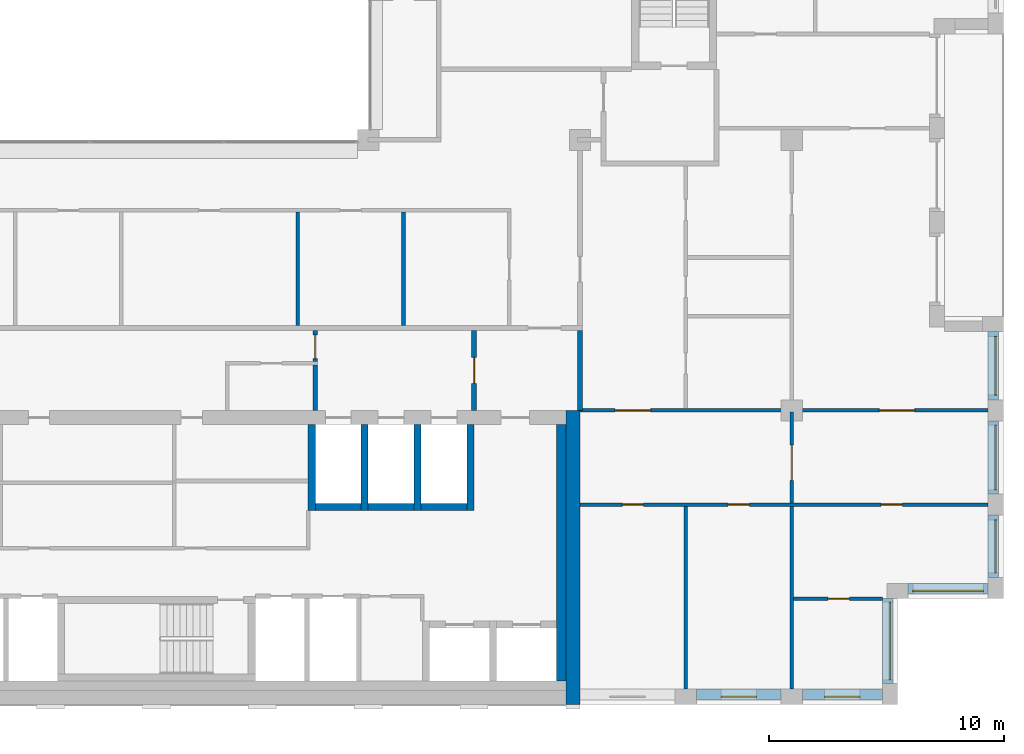
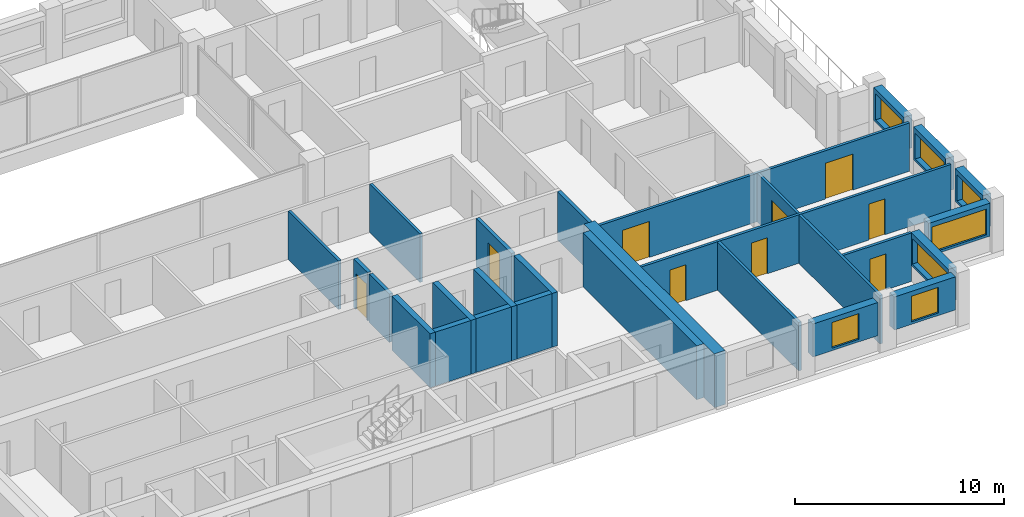
# One storey, part 11 of 15: 28 walls, 9 doors, 7 windows, 16 openings.
"""IFC4 building model written with IfcOpenShell, lengths in metres."""

from ifc_helpers import new_model, si_unit, direction, frame, frame_2d, origin, place, context, subcontext, project, spatial, rectangle, extrude, material, layer, layer_set, type_object, element, fill, save


model = new_model("IFC4")

# Units and contexts
model_context = context("Model", 3, precision=1e-05, world=origin(), true_north=direction((0.0, 1.0)))
body_context = subcontext(model_context, "Body", "Model", "MODEL_VIEW")
ifc_project = project(units=[si_unit("LENGTHUNIT", "METRE"), si_unit("AREAUNIT", "SQUARE_METRE"), si_unit("VOLUMEUNIT", "CUBIC_METRE"), si_unit("PLANEANGLEUNIT", "RADIAN"), si_unit("MASSUNIT", "GRAM", prefix="KILO")], contexts=[model_context])

# Site, building, storey
site_placement = place(None, origin())
site = spatial("IfcSite", under=ifc_project, at=site_placement, CompositionType="ELEMENT")
building_placement = place(site_placement, origin())
building = spatial("IfcBuilding", under=site, at=building_placement, Name="Brigalow Station Residences", CompositionType="ELEMENT")
storey_placement = place(building_placement, frame((0.0, 0.0, 229.5)))
storey = spatial("IfcBuildingStorey", under=building, at=storey_placement, Name="L66", CompositionType="ELEMENT", Elevation=229.5)

# Wall, opening, window
ifc_material_1 = material(Name="Clay brick masonry", Category="masonry")
ifc_layer_1 = layer(ifc_material_1, 0.449951171875)
ifc_layer_set_1 = layer_set([ifc_layer_1], Name="BRICK INFILL WALL 450")
wall_type_1 = type_object("IfcWallType", Name="BRICK INFILL WALL 450", PredefinedType="SOLIDWALL", material=ifc_layer_set_1)
wall_1_placement = place(storey_placement, frame((58.949951171875, 0.425048828125, 0.89990234375), z_axis=(0.0, 0.0, 1.0), x_axis=(1.0, 0.0, 0.0)))
wall_1 = element("IfcWall", 1, at=wall_1_placement, inside=storey, type_object=wall_type_1, Name="L66/ewall/W-L66-4", PredefinedType="SOLIDWALL", context=body_context, shape_type="SweptSolid", body=[
    extrude(rectangle(XDim=3.60009765625, YDim=0.449951171875, at=frame_2d((1.800048828125, 0.0))), origin(), (0.0, 0.0, 1.0), 1.93017578125),
])
opening_1_placement = place(wall_1_placement, frame((1.050048828125, 0.0, 0.14990234375)))
opening_1 = element("IfcOpeningElement", 2, at=opening_1_placement, cuts=wall_1, Name="Opening WT-1", PredefinedType="OPENING", context=body_context, shape_type="SweptSolid", body=[
    extrude(rectangle(XDim=1.5, YDim=1.5, at=frame_2d((0.75, 0.75))), frame((0.0, 0.23486328125, 0.0), z_axis=(0.0, -1.0, 0.0), x_axis=(1.0, 0.0, 0.0)), (0.0, 0.0, 1.0), 0.469970703125),
])
ifc_material_2 = material(Name="Anodised aluminium frame with double glazing", Category="aluminium")
window_type_1 = type_object("IfcWindowType", Name="WINDOW 1500x1500", PartitioningType="SINGLE_PANEL", PredefinedType="WINDOW", material=ifc_material_2)
window_1_placement = place(opening_1_placement, origin())
window_1 = element("IfcWindow", 3, at=window_1_placement, inside=storey, type_object=window_type_1, Name="L66/window/W-L66-4", OverallHeight=1.5, OverallWidth=1.5, PartitioningType="SINGLE_PANEL", PredefinedType="WINDOW", context=body_context, shape_type="SweptSolid", body=[
    extrude(rectangle(XDim=1.5, YDim=1.5, at=frame_2d((0.75, 0.75))), frame((0.0, -0.06494140625, 0.0), z_axis=(0.0, -1.0, 0.0), x_axis=(1.0, 0.0, 0.0)), (0.0, 0.0, 1.0), 0.06005859375),
])
fill(opening_1, window_1)

wall_2_placement = place(storey_placement, frame((63.449951171875, 0.425048828125, 0.89990234375), z_axis=(0.0, 0.0, 1.0), x_axis=(1.0, 0.0, 0.0)))
wall_2 = element("IfcWall", 4, at=wall_2_placement, inside=storey, type_object=wall_type_1, Name="L66/ewall/W-L66-5", PredefinedType="SOLIDWALL", context=body_context, shape_type="SweptSolid", body=[
    extrude(rectangle(XDim=3.400146484375, YDim=0.449951171875, at=frame_2d((1.7001953125, 0.0))), origin(), (0.0, 0.0, 1.0), 1.93017578125),
])
opening_2_placement = place(wall_2_placement, frame((0.949951171875, 0.0, 0.14990234375)))
opening_2 = element("IfcOpeningElement", 5, at=opening_2_placement, cuts=wall_2, Name="Opening WT-1", PredefinedType="OPENING", context=body_context, shape_type="SweptSolid", body=[
    extrude(rectangle(XDim=1.5, YDim=1.5, at=frame_2d((0.75, 0.75))), frame((0.0, 0.23486328125, 0.0), z_axis=(0.0, -1.0, 0.0), x_axis=(1.0, 0.0, 0.0)), (0.0, 0.0, 1.0), 0.469970703125),
])
window_2_placement = place(opening_2_placement, origin())
window_2 = element("IfcWindow", 6, at=window_2_placement, inside=storey, type_object=window_type_1, Name="L66/window/W-L66-5", OverallHeight=1.5, OverallWidth=1.5, PartitioningType="SINGLE_PANEL", PredefinedType="WINDOW", context=body_context, shape_type="SweptSolid", body=[
    extrude(rectangle(XDim=1.5, YDim=1.5, at=frame_2d((0.75, 0.75))), frame((0.0, -0.06494140625, 0.0), z_axis=(0.0, -1.0, 0.0), x_axis=(1.0, 0.0, 0.0)), (0.0, 0.0, 1.0), 0.06005859375),
])
fill(opening_2, window_2)

wall_3_placement = place(storey_placement, frame((67.074951171875, 0.89990234375, 0.89990234375), z_axis=(0.0, 0.0, 1.0), x_axis=(0.0, 1.0, 0.0)))
wall_3 = element("IfcWall", 7, at=wall_3_placement, inside=storey, type_object=wall_type_1, Name="L66/ewall/W-L66-6", PredefinedType="SOLIDWALL", context=body_context, shape_type="SweptSolid", body=[
    extrude(rectangle(XDim=3.60009765625, YDim=0.449951171875, at=frame_2d((1.800048828125, 0.0))), origin(), (0.0, 0.0, 1.0), 1.93017578125),
])
opening_3_placement = place(wall_3_placement, frame((0.14990234375, 0.0, 0.14990234375)))
opening_3 = element("IfcOpeningElement", 8, at=opening_3_placement, cuts=wall_3, Name="Opening WT-10", PredefinedType="OPENING", context=body_context, shape_type="SweptSolid", body=[
    extrude(rectangle(XDim=3.300048828125, YDim=1.5, at=frame_2d((1.64990234375, 0.75))), frame((0.0, 0.23486328125, 0.0), z_axis=(0.0, -1.0, 0.0), x_axis=(1.0, 0.0, 0.0)), (0.0, 0.0, 1.0), 0.469970703125),
])
ifc_material_3 = material(Name="Anodised aluminium frame with double glazing", Category="aluminium")
window_type_2 = type_object("IfcWindowType", Name="WINDOW 3300x1500", PartitioningType="SINGLE_PANEL", PredefinedType="WINDOW", material=ifc_material_3)
window_3_placement = place(opening_3_placement, origin())
window_3 = element("IfcWindow", 9, at=window_3_placement, inside=storey, type_object=window_type_2, Name="L66/window/W-L66-6", OverallHeight=1.5, OverallWidth=3.300048828125, PartitioningType="SINGLE_PANEL", PredefinedType="WINDOW", context=body_context, shape_type="SweptSolid", body=[
    extrude(rectangle(XDim=3.300048828125, YDim=1.5, at=frame_2d((1.64990234375, 0.75))), frame((0.0, -0.06494140625, 0.0), z_axis=(0.0, -1.0, 0.0), x_axis=(1.0, 0.0, 0.0)), (0.0, 0.0, 1.0), 0.06005859375),
])
fill(opening_3, window_3)

wall_4_placement = place(storey_placement, frame((67.949951171875, 4.925048828125, 0.89990234375), z_axis=(0.0, 0.0, 1.0), x_axis=(1.0, 0.0, 0.0)))
wall_4 = element("IfcWall", 10, at=wall_4_placement, inside=storey, type_object=wall_type_1, Name="L66/ewall/W-L66-7", PredefinedType="SOLIDWALL", context=body_context, shape_type="SweptSolid", body=[
    extrude(rectangle(XDim=3.400146484375, YDim=0.449951171875, at=frame_2d((1.7001953125, 0.0))), origin(), (0.0, 0.0, 1.0), 1.93017578125),
])
opening_4_placement = place(wall_4_placement, frame((0.199951171875, 0.0, 0.14990234375)))
opening_4 = element("IfcOpeningElement", 11, at=opening_4_placement, cuts=wall_4, Name="Opening WT-2", PredefinedType="OPENING", context=body_context, shape_type="SweptSolid", body=[
    extrude(rectangle(XDim=3.0, YDim=1.5, at=frame_2d((1.5, 0.75))), frame((0.0, 0.23486328125, 0.0), z_axis=(0.0, -1.0, 0.0), x_axis=(1.0, 0.0, 0.0)), (0.0, 0.0, 1.0), 0.469970703125),
])
ifc_material_4 = material(Name="Anodised aluminium frame with double glazing", Category="aluminium")
window_type_3 = type_object("IfcWindowType", Name="WINDOW 3000x1500", PartitioningType="SINGLE_PANEL", PredefinedType="WINDOW", material=ifc_material_4)
window_4_placement = place(opening_4_placement, origin())
window_4 = element("IfcWindow", 12, at=window_4_placement, inside=storey, type_object=window_type_3, Name="L66/window/W-L66-7", OverallHeight=1.5, OverallWidth=3.0, PartitioningType="SINGLE_PANEL", PredefinedType="WINDOW", context=body_context, shape_type="SweptSolid", body=[
    extrude(rectangle(XDim=3.0, YDim=1.5, at=frame_2d((1.5, 0.75))), frame((0.0, -0.06494140625, 0.0), z_axis=(0.0, -1.0, 0.0), x_axis=(1.0, 0.0, 0.0)), (0.0, 0.0, 1.0), 0.06005859375),
])
fill(opening_4, window_4)

wall_5_placement = place(storey_placement, frame((71.574951171875, 5.39990234375, 0.89990234375), z_axis=(0.0, 0.0, 1.0), x_axis=(0.0, 1.0, 0.0)))
wall_5 = element("IfcWall", 13, at=wall_5_placement, inside=storey, type_object=wall_type_1, Name="L66/ewall/W-L66-8", PredefinedType="SOLIDWALL", context=body_context, shape_type="SweptSolid", body=[
    extrude(rectangle(XDim=2.650146484375, YDim=0.449951171875, at=frame_2d((1.3251953125, 0.0))), origin(), (0.0, 0.0, 1.0), 1.93017578125),
])
opening_5_placement = place(wall_5_placement, frame((0.199951171875, 0.0, 0.14990234375)))
opening_5 = element("IfcOpeningElement", 14, at=opening_5_placement, cuts=wall_5, Name="Opening WT-6", PredefinedType="OPENING", context=body_context, shape_type="SweptSolid", body=[
    extrude(rectangle(XDim=2.25, YDim=1.5, at=frame_2d((1.125, 0.75))), frame((0.0, 0.23486328125, 0.0), z_axis=(0.0, -1.0, 0.0), x_axis=(1.0, 0.0, 0.0)), (0.0, 0.0, 1.0), 0.469970703125),
])
ifc_material_5 = material(Name="Anodised aluminium frame with double glazing", Category="aluminium")
window_type_4 = type_object("IfcWindowType", Name="WINDOW 2250x1500", PartitioningType="SINGLE_PANEL", PredefinedType="WINDOW", material=ifc_material_5)
window_5_placement = place(opening_5_placement, origin())
window_5 = element("IfcWindow", 15, at=window_5_placement, inside=storey, type_object=window_type_4, Name="L66/window/W-L66-8", OverallHeight=1.5, OverallWidth=2.25, PartitioningType="SINGLE_PANEL", PredefinedType="WINDOW", context=body_context, shape_type="SweptSolid", body=[
    extrude(rectangle(XDim=2.25, YDim=1.5, at=frame_2d((1.125, 0.75))), frame((0.0, -0.06494140625, 0.0), z_axis=(0.0, -1.0, 0.0), x_axis=(1.0, 0.0, 0.0)), (0.0, 0.0, 1.0), 0.06005859375),
])
fill(opening_5, window_5)

wall_6_placement = place(storey_placement, frame((71.574951171875, 8.949951171875, 0.89990234375), z_axis=(0.0, 0.0, 1.0), x_axis=(0.0, 1.0, 0.0)))
wall_6 = element("IfcWall", 16, at=wall_6_placement, inside=storey, type_object=wall_type_1, Name="L66/ewall/W-L66-9", PredefinedType="SOLIDWALL", context=body_context, shape_type="SweptSolid", body=[
    extrude(rectangle(XDim=3.10009765625, YDim=0.449951171875, at=frame_2d((1.550048828125, 0.0))), origin(), (0.0, 0.0, 1.0), 1.93017578125),
])
opening_6_placement = place(wall_6_placement, frame((0.175048828125, 0.0, 0.14990234375)))
opening_6 = element("IfcOpeningElement", 17, at=opening_6_placement, cuts=wall_6, Name="Opening WT-3", PredefinedType="OPENING", context=body_context, shape_type="SweptSolid", body=[
    extrude(rectangle(XDim=2.75, YDim=1.5, at=frame_2d((1.375, 0.75))), frame((0.0, 0.23486328125, 0.0), z_axis=(0.0, -1.0, 0.0), x_axis=(1.0, 0.0, 0.0)), (0.0, 0.0, 1.0), 0.469970703125),
])
ifc_material_6 = material(Name="Anodised aluminium frame with double glazing", Category="aluminium")
window_type_5 = type_object("IfcWindowType", Name="WINDOW 2750x1500", PartitioningType="SINGLE_PANEL", PredefinedType="WINDOW", material=ifc_material_6)
window_6_placement = place(opening_6_placement, origin())
window_6 = element("IfcWindow", 18, at=window_6_placement, inside=storey, type_object=window_type_5, Name="L66/window/W-L66-9", OverallHeight=1.5, OverallWidth=2.75, PartitioningType="SINGLE_PANEL", PredefinedType="WINDOW", context=body_context, shape_type="SweptSolid", body=[
    extrude(rectangle(XDim=2.75, YDim=1.5, at=frame_2d((1.375, 0.75))), frame((0.0, -0.06494140625, 0.0), z_axis=(0.0, -1.0, 0.0), x_axis=(1.0, 0.0, 0.0)), (0.0, 0.0, 1.0), 0.06005859375),
])
fill(opening_6, window_6)

wall_7_placement = place(storey_placement, frame((71.574951171875, 12.949951171875, 0.89990234375), z_axis=(0.0, 0.0, 1.0), x_axis=(0.0, 1.0, 0.0)))
wall_7 = element("IfcWall", 19, at=wall_7_placement, inside=storey, type_object=wall_type_1, Name="L66/ewall/W-L66-10", PredefinedType="SOLIDWALL", context=body_context, shape_type="SweptSolid", body=[
    extrude(rectangle(XDim=2.900146484375, YDim=0.449951171875, at=frame_2d((1.4501953125, 0.0))), origin(), (0.0, 0.0, 1.0), 1.93017578125),
])
opening_7_placement = place(wall_7_placement, frame((0.199951171875, 0.0, 0.14990234375)))
opening_7 = element("IfcOpeningElement", 20, at=opening_7_placement, cuts=wall_7, Name="Opening WT-5", PredefinedType="OPENING", context=body_context, shape_type="SweptSolid", body=[
    extrude(rectangle(XDim=2.5, YDim=1.5, at=frame_2d((1.25, 0.75))), frame((0.0, 0.23486328125, 0.0), z_axis=(0.0, -1.0, 0.0), x_axis=(1.0, 0.0, 0.0)), (0.0, 0.0, 1.0), 0.469970703125),
])
ifc_material_7 = material(Name="Anodised aluminium frame with double glazing", Category="aluminium")
window_type_6 = type_object("IfcWindowType", Name="WINDOW 2500x1500", PartitioningType="SINGLE_PANEL", PredefinedType="WINDOW", material=ifc_material_7)
window_7_placement = place(opening_7_placement, origin())
window_7 = element("IfcWindow", 21, at=window_7_placement, inside=storey, type_object=window_type_6, Name="L66/window/W-L66-10", OverallHeight=1.5, OverallWidth=2.5, PartitioningType="SINGLE_PANEL", PredefinedType="WINDOW", context=body_context, shape_type="SweptSolid", body=[
    extrude(rectangle(XDim=2.5, YDim=1.5, at=frame_2d((1.25, 0.75))), frame((0.0, -0.06494140625, 0.0), z_axis=(0.0, -1.0, 0.0), x_axis=(1.0, 0.0, 0.0)), (0.0, 0.0, 1.0), 0.06005859375),
])
fill(opening_7, window_7)

# Walls
ifc_material_8 = material(Name="Concrete C50", Category="concrete")
ifc_layer_2 = layer(ifc_material_8, 0.300048828125)
ifc_layer_set_2 = layer_set([ifc_layer_2], Name="CORE SHEAR WALL 300 C50")
wall_type_2 = type_object("IfcWallType", Name="CORE SHEAR WALL 300 C50", PredefinedType="SHEAR", material=ifc_layer_set_2)
wall_8_placement = place(storey_placement, frame((42.75, 8.39990234375, 0.0), z_axis=(0.0, 0.0, 1.0), x_axis=(1.0, 0.0, 0.0)))
element("IfcWall", 22, at=wall_8_placement, inside=storey, type_object=wall_type_2, Name="CORE WALL SH-FF1-S L66", PredefinedType="SHEAR", context=body_context, shape_type="SweptSolid", body=[
    extrude(rectangle(XDim=1.949951171875, YDim=0.300048828125, at=frame_2d((0.97509765625, 0.0))), origin(), (0.0, 0.0, 1.0), 3.14990234375),
])
wall_9_placement = place(storey_placement, frame((42.60009765625, 8.25, 0.0), z_axis=(0.0, 0.0, 1.0), x_axis=(0.0, 1.0, 0.0)))
element("IfcWall", 23, at=wall_9_placement, inside=storey, type_object=wall_type_2, Name="CORE WALL SH-FF1-W L66", PredefinedType="SHEAR", context=body_context, shape_type="SweptSolid", body=[
    extrude(rectangle(XDim=3.64990234375, YDim=0.300048828125, at=frame_2d((1.824951171875, 0.0))), origin(), (0.0, 0.0, 1.0), 3.14990234375),
])
wall_10_placement = place(storey_placement, frame((45.0, 8.39990234375, 0.0), z_axis=(0.0, 0.0, 1.0), x_axis=(1.0, 0.0, 0.0)))
element("IfcWall", 24, at=wall_10_placement, inside=storey, type_object=wall_type_2, Name="CORE WALL SH-FF2-S L66", PredefinedType="SHEAR", context=body_context, shape_type="SweptSolid", body=[
    extrude(rectangle(XDim=1.949951171875, YDim=0.300048828125, at=frame_2d((0.97509765625, 0.0))), origin(), (0.0, 0.0, 1.0), 3.14990234375),
])
wall_11_placement = place(storey_placement, frame((44.85009765625, 8.25, 0.0), z_axis=(0.0, 0.0, 1.0), x_axis=(0.0, 1.0, 0.0)))
element("IfcWall", 25, at=wall_11_placement, inside=storey, type_object=wall_type_2, Name="CORE WALL SH-FF2-W L66", PredefinedType="SHEAR", context=body_context, shape_type="SweptSolid", body=[
    extrude(rectangle(XDim=3.64990234375, YDim=0.300048828125, at=frame_2d((1.824951171875, 0.0))), origin(), (0.0, 0.0, 1.0), 3.14990234375),
])
wall_12_placement = place(storey_placement, frame((47.25, 8.39990234375, 0.0), z_axis=(0.0, 0.0, 1.0), x_axis=(1.0, 0.0, 0.0)))
element("IfcWall", 26, at=wall_12_placement, inside=storey, type_object=wall_type_2, Name="CORE WALL SH-SL1-S L66", PredefinedType="SHEAR", context=body_context, shape_type="SweptSolid", body=[
    extrude(rectangle(XDim=1.949951171875, YDim=0.300048828125, at=frame_2d((0.97509765625, 0.0))), origin(), (0.0, 0.0, 1.0), 3.14990234375),
])
for number, where, z_axis, x_axis, name in (
    (27, (47.10009765625, 8.25, 0.0), (0.0, 0.0, 1.0), (0.0, 1.0, 0.0), "CORE WALL SH-SL1-W L66"),
    (28, (49.35009765625, 8.25, 0.0), (0.0, 0.0, 1.0), (0.0, 1.0, 0.0), "CORE WALL SH-SL1-E L66"),
):
    element("IfcWall", number, at=place(storey_placement, frame(where, z_axis=z_axis, x_axis=x_axis)), inside=storey, type_object=wall_type_2, Name=name, PredefinedType="SHEAR", context=body_context, shape_type="SweptSolid", body=[
        extrude(rectangle(XDim=3.64990234375, YDim=0.300048828125, at=frame_2d((1.824951171875, 0.0))), origin(), (0.0, 0.0, 1.0), 3.14990234375),
    ])
ifc_material_9 = material(Name="Concrete C50", Category="concrete")
ifc_layer_3 = layer(ifc_material_9, 0.39990234375)
ifc_layer_set_3 = layer_set([ifc_layer_3], Name="CORE SHEAR WALL 400 C50")
wall_type_3 = type_object("IfcWallType", Name="CORE SHEAR WALL 400 C50", PredefinedType="SHEAR", material=ifc_layer_set_3)
wall_13_placement = place(storey_placement, frame((53.199951171875, 1.0, 0.0), z_axis=(0.0, 0.0, 1.0), x_axis=(0.0, 1.0, 0.0)))
element("IfcWall", 29, at=wall_13_placement, inside=storey, type_object=wall_type_3, Name="CORE WALL LIN-E L66", PredefinedType="SHEAR", context=body_context, shape_type="SweptSolid", body=[
    extrude(rectangle(XDim=10.89990234375, YDim=0.39990234375, at=frame_2d((5.449951171875, 0.0))), origin(), (0.0, 0.0, 1.0), 3.14990234375),
])
ifc_material_10 = material(Name="Concrete C50", Category="concrete")
ifc_layer_4 = layer(ifc_material_10, 0.60009765625)
ifc_layer_set_4 = layer_set([ifc_layer_4], Name="CORE SHEAR WALL 600 C50")
wall_type_4 = type_object("IfcWallType", Name="CORE SHEAR WALL 600 C50", PredefinedType="SHEAR", material=ifc_layer_set_4)
wall_14_placement = place(storey_placement, frame((53.699951171875, 0.0, 0.0), z_axis=(0.0, 0.0, 1.0), x_axis=(0.0, 1.0, 0.0)))
element("IfcWall", 30, at=wall_14_placement, inside=storey, type_object=wall_type_4, Name="CORE WALL OUT-E L66", PredefinedType="SHEAR", context=body_context, shape_type="SweptSolid", body=[
    extrude(rectangle(XDim=12.5, YDim=0.60009765625, at=frame_2d((6.25, 0.0))), origin(), (0.0, 0.0, 1.0), 3.14990234375),
])
ifc_material_11 = material(Name="Concrete blockwork", Category="masonry")
ifc_layer_5 = layer(ifc_material_11, 0.199951171875)
ifc_layer_set_5 = layer_set([ifc_layer_5], Name="FIRE RATED CORE PARTITION 200")
wall_type_5 = type_object("IfcWallType", Name="FIRE RATED CORE PARTITION 200", PredefinedType="PARTITIONING", material=ifc_layer_set_5)
wall_15_placement = place(storey_placement, frame((42.75, 12.5, 0.0), z_axis=(0.0, 0.0, 1.0), x_axis=(0.0, 1.0, 0.0)))
element("IfcWall", 31, at=wall_15_placement, inside=storey, type_object=wall_type_5, Name="PW-5046", PredefinedType="PARTITIONING", context=body_context, shape_type="SweptSolid", body=[
    extrude(rectangle(XDim=1.925048828125, YDim=0.199951171875, at=frame_2d((0.96240234375, 0.0))), origin(), (0.0, 0.0, 1.0), 2.830078125),
])

# Wall, opening, door
wall_16_placement = place(storey_placement, frame((49.5, 12.5, 0.0), z_axis=(0.0, 0.0, 1.0), x_axis=(0.0, 1.0, 0.0)))
wall_16 = element("IfcWall", 32, at=wall_16_placement, inside=storey, type_object=wall_type_5, Name="PW-5015", PredefinedType="PARTITIONING", context=body_context, shape_type="SweptSolid", body=[
    extrude(rectangle(XDim=3.39990234375, YDim=0.199951171875, at=frame_2d((1.699951171875, 0.0))), origin(), (0.0, 0.0, 1.0), 2.830078125),
])
opening_8_placement = place(wall_16_placement, frame((1.14990234375, 0.0, 0.0)))
opening_8 = element("IfcOpeningElement", 33, at=opening_8_placement, cuts=wall_16, Name="Opening D-5014", PredefinedType="OPENING", context=body_context, shape_type="SweptSolid", body=[
    extrude(rectangle(XDim=1.10009765625, YDim=2.10009765625, at=frame_2d((0.550048828125, 1.050048828125))), frame((0.0, 0.10986328125, 0.0), z_axis=(0.0, -1.0, 0.0), x_axis=(1.0, 0.0, 0.0)), (0.0, 0.0, 1.0), 0.219970703125),
])
ifc_material_12 = material(Name="Steel fire door leaf in steel frame", Category="steel")
door_type_1 = type_object("IfcDoorType", Name="LOBBY DOOR 1100 x 2100 FD60S", OperationType="SINGLE_SWING_LEFT", PredefinedType="DOOR", material=ifc_material_12)
door_1_placement = place(opening_8_placement, origin())
door_1 = element("IfcDoor", 34, at=door_1_placement, inside=storey, type_object=door_type_1, Name="D-5014", OperationType="SINGLE_SWING_LEFT", OverallHeight=2.10009765625, OverallWidth=1.10009765625, PredefinedType="DOOR", context=body_context, shape_type="SweptSolid", body=[
    extrude(rectangle(XDim=1.10009765625, YDim=2.10009765625, at=frame_2d((0.550048828125, 1.050048828125))), frame((0.0, 0.02490234375, 0.0), z_axis=(0.0, -1.0, 0.0), x_axis=(1.0, 0.0, 0.0)), (0.0, 0.0, 1.0), 0.050048828125),
])
fill(opening_8, door_1)

# Wall
wall_17_placement = place(storey_placement, frame((54.0, 12.5, 0.0), z_axis=(0.0, 0.0, 1.0), x_axis=(0.0, 1.0, 0.0)))
element("IfcWall", 35, at=wall_17_placement, inside=storey, type_object=wall_type_5, Name="PW-5016", PredefinedType="PARTITIONING", context=body_context, shape_type="SweptSolid", body=[
    extrude(rectangle(XDim=3.39990234375, YDim=0.199951171875, at=frame_2d((1.699951171875, 0.0))), origin(), (0.0, 0.0, 1.0), 2.830078125),
])

# Wall, opening, door
wall_18_placement = place(storey_placement, frame((42.75, 14.574951171875, 0.0), z_axis=(0.0, 0.0, 1.0), x_axis=(0.0, 1.0, 0.0)))
wall_18 = element("IfcWall", 36, at=wall_18_placement, inside=storey, type_object=wall_type_5, Name="PW-5047", PredefinedType="PARTITIONING", context=body_context, shape_type="SweptSolid", body=[
    extrude(rectangle(XDim=1.324951171875, YDim=0.199951171875, at=frame_2d((0.66259765625, 0.0))), origin(), (0.0, 0.0, 1.0), 2.830078125),
])
opening_9_placement = place(wall_18_placement, frame((0.125, 0.0, 0.0)))
opening_9 = element("IfcOpeningElement", 37, at=opening_9_placement, cuts=wall_18, Name="Opening D-5013", PredefinedType="OPENING", context=body_context, shape_type="SweptSolid", body=[
    extrude(rectangle(XDim=1.0, YDim=2.10009765625, at=frame_2d((0.5, 1.050048828125))), frame((0.0, 0.10986328125, 0.0), z_axis=(0.0, -1.0, 0.0), x_axis=(1.0, 0.0, 0.0)), (0.0, 0.0, 1.0), 0.219970703125),
])
ifc_material_13 = material(Name="Steel fire door leaf in steel frame", Category="steel")
door_type_2 = type_object("IfcDoorType", Name="LOBBY DOOR 1000 x 2100 FD60S", OperationType="SINGLE_SWING_LEFT", PredefinedType="DOOR", material=ifc_material_13)
door_2_placement = place(opening_9_placement, origin())
door_2 = element("IfcDoor", 38, at=door_2_placement, inside=storey, type_object=door_type_2, Name="D-5013", OperationType="SINGLE_SWING_LEFT", OverallHeight=2.10009765625, OverallWidth=1.0, PredefinedType="DOOR", context=body_context, shape_type="SweptSolid", body=[
    extrude(rectangle(XDim=1.0, YDim=2.10009765625, at=frame_2d((0.5, 1.050048828125))), frame((0.0, 0.02490234375, 0.0), z_axis=(0.0, -1.0, 0.0), x_axis=(1.0, 0.0, 0.0)), (0.0, 0.0, 1.0), 0.050048828125),
])
fill(opening_9, door_2)

# Wall, openings, doors
ifc_material_14 = material(Name="Plasterboard on steel stud partition", Category="steel")
ifc_layer_6 = layer(ifc_material_14, 0.14990234375)
ifc_layer_set_6 = layer_set([ifc_layer_6], Name="FLAT PARTITION 150")
wall_type_6 = type_object("IfcWallType", Name="FLAT PARTITION 150", PredefinedType="PARTITIONING", material=ifc_layer_set_6)
wall_19_placement = place(storey_placement, frame((54.0, 12.5, 0.0), z_axis=(0.0, 0.0, 1.0), x_axis=(1.0, 0.0, 0.0)))
wall_19 = element("IfcWall", 39, at=wall_19_placement, inside=storey, type_object=wall_type_6, Name="PW-4E12", PredefinedType="PARTITIONING", context=body_context, shape_type="SweptSolid", body=[
    extrude(rectangle(XDim=17.35009765625, YDim=0.14990234375, at=frame_2d((8.675048828125, 0.0))), origin(), (0.0, 0.0, 1.0), 2.830078125),
])
opening_10_placement = place(wall_19_placement, frame((1.5, 0.0, 0.0)))
opening_10 = element("IfcOpeningElement", 40, at=opening_10_placement, cuts=wall_19, Name="Opening D-4E25", PredefinedType="OPENING", context=body_context, shape_type="SweptSolid", body=[
    extrude(rectangle(XDim=1.5, YDim=2.10009765625, at=frame_2d((0.75, 1.050048828125))), frame((0.0, 0.0849609375, 0.0), z_axis=(0.0, -1.0, 0.0), x_axis=(1.0, 0.0, 0.0)), (0.0, 0.0, 1.0), 0.169921875),
])
opening_11_placement = place(wall_19_placement, frame((12.72509765625, 0.0, 0.0)))
opening_11 = element("IfcOpeningElement", 41, at=opening_11_placement, cuts=wall_19, Name="Opening D-4E33", PredefinedType="OPENING", context=body_context, shape_type="SweptSolid", body=[
    extrude(rectangle(XDim=1.5, YDim=2.10009765625, at=frame_2d((0.75, 1.050048828125))), frame((0.0, 0.0849609375, 0.0), z_axis=(0.0, -1.0, 0.0), x_axis=(1.0, 0.0, 0.0)), (0.0, 0.0, 1.0), 0.169921875),
])
ifc_material_15 = material(Name="Solid-core timber door leaf", Category="wood")
door_type_3 = type_object("IfcDoorType", Name="INTERNAL DOUBLE DOOR 1500 x 2100", OperationType="DOUBLE_DOOR_SINGLE_SWING", PredefinedType="DOOR", material=ifc_material_15)
door_3_placement = place(opening_10_placement, frame((1.5, 0.0, 0.0), z_axis=(0.0, 0.0, 1.0), x_axis=(-1.0, 0.0, 0.0)))
door_3 = element("IfcDoor", 42, at=door_3_placement, inside=storey, type_object=door_type_3, Name="D-4E25", OperationType="DOUBLE_DOOR_SINGLE_SWING", OverallHeight=2.10009765625, OverallWidth=1.5, PredefinedType="DOOR", context=body_context, shape_type="SweptSolid", body=[
    extrude(rectangle(XDim=1.5, YDim=2.10009765625, at=frame_2d((0.75, 1.050048828125))), frame((0.0, 0.02490234375, 0.0), z_axis=(0.0, -1.0, 0.0), x_axis=(1.0, 0.0, 0.0)), (0.0, 0.0, 1.0), 0.050048828125),
])
fill(opening_10, door_3)
door_4_placement = place(opening_11_placement, frame((1.5, 0.0, 0.0), z_axis=(0.0, 0.0, 1.0), x_axis=(-1.0, 0.0, 0.0)))
door_4 = element("IfcDoor", 43, at=door_4_placement, inside=storey, type_object=door_type_3, Name="D-4E33", OperationType="DOUBLE_DOOR_SINGLE_SWING", OverallHeight=2.10009765625, OverallWidth=1.5, PredefinedType="DOOR", context=body_context, shape_type="SweptSolid", body=[
    extrude(rectangle(XDim=1.5, YDim=2.10009765625, at=frame_2d((0.75, 1.050048828125))), frame((0.0, 0.02490234375, 0.0), z_axis=(0.0, -1.0, 0.0), x_axis=(1.0, 0.0, 0.0)), (0.0, 0.0, 1.0), 0.050048828125),
])
fill(opening_11, door_4)

wall_20_placement = place(storey_placement, frame((54.0, 8.5, 0.0), z_axis=(0.0, 0.0, 1.0), x_axis=(1.0, 0.0, 0.0)))
wall_20 = element("IfcWall", 44, at=wall_20_placement, inside=storey, type_object=wall_type_6, Name="PW-4E14", PredefinedType="PARTITIONING", context=body_context, shape_type="SweptSolid", body=[
    extrude(rectangle(XDim=17.35009765625, YDim=0.14990234375, at=frame_2d((8.675048828125, 0.0))), origin(), (0.0, 0.0, 1.0), 2.830078125),
])
opening_12_placement = place(wall_20_placement, frame((1.800048828125, 0.0, 0.0)))
opening_12 = element("IfcOpeningElement", 45, at=opening_12_placement, cuts=wall_20, Name="Opening D-4E28", PredefinedType="OPENING", context=body_context, shape_type="SweptSolid", body=[
    extrude(rectangle(XDim=0.89990234375, YDim=2.10009765625, at=frame_2d((0.449951171875, 1.050048828125))), frame((0.0, 0.0849609375, 0.0), z_axis=(0.0, -1.0, 0.0), x_axis=(1.0, 0.0, 0.0)), (0.0, 0.0, 1.0), 0.169921875),
])
opening_13_placement = place(wall_20_placement, frame((6.300048828125, 0.0, 0.0)))
opening_13 = element("IfcOpeningElement", 46, at=opening_13_placement, cuts=wall_20, Name="Opening D-4E29", PredefinedType="OPENING", context=body_context, shape_type="SweptSolid", body=[
    extrude(rectangle(XDim=0.89990234375, YDim=2.10009765625, at=frame_2d((0.449951171875, 1.050048828125))), frame((0.0, 0.0849609375, 0.0), z_axis=(0.0, -1.0, 0.0), x_axis=(1.0, 0.0, 0.0)), (0.0, 0.0, 1.0), 0.169921875),
])
opening_14_placement = place(wall_20_placement, frame((12.800048828125, 0.0, 0.0)))
opening_14 = element("IfcOpeningElement", 47, at=opening_14_placement, cuts=wall_20, Name="Opening D-4E31", PredefinedType="OPENING", context=body_context, shape_type="SweptSolid", body=[
    extrude(rectangle(XDim=0.89990234375, YDim=2.10009765625, at=frame_2d((0.449951171875, 1.050048828125))), frame((0.0, 0.0849609375, 0.0), z_axis=(0.0, -1.0, 0.0), x_axis=(1.0, 0.0, 0.0)), (0.0, 0.0, 1.0), 0.169921875),
])
ifc_material_16 = material(Name="Solid-core timber door leaf", Category="wood")
door_type_4 = type_object("IfcDoorType", Name="INTERNAL DOOR 900 x 2100", OperationType="SINGLE_SWING_LEFT", PredefinedType="DOOR", material=ifc_material_16)
door_5_placement = place(opening_12_placement, frame((0.89990234375, 0.0, 0.0), z_axis=(0.0, 0.0, 1.0), x_axis=(-1.0, 0.0, 0.0)))
door_5 = element("IfcDoor", 48, at=door_5_placement, inside=storey, type_object=door_type_4, Name="D-4E28", OperationType="SINGLE_SWING_LEFT", OverallHeight=2.10009765625, OverallWidth=0.89990234375, PredefinedType="DOOR", context=body_context, shape_type="SweptSolid", body=[
    extrude(rectangle(XDim=0.89990234375, YDim=2.10009765625, at=frame_2d((0.449951171875, 1.050048828125))), frame((0.0, 0.02490234375, 0.0), z_axis=(0.0, -1.0, 0.0), x_axis=(1.0, 0.0, 0.0)), (0.0, 0.0, 1.0), 0.050048828125),
])
fill(opening_12, door_5)
door_6_placement = place(opening_13_placement, frame((0.89990234375, 0.0, 0.0), z_axis=(0.0, 0.0, 1.0), x_axis=(-1.0, 0.0, 0.0)))
door_6 = element("IfcDoor", 49, at=door_6_placement, inside=storey, type_object=door_type_4, Name="D-4E29", OperationType="SINGLE_SWING_LEFT", OverallHeight=2.10009765625, OverallWidth=0.89990234375, PredefinedType="DOOR", context=body_context, shape_type="SweptSolid", body=[
    extrude(rectangle(XDim=0.89990234375, YDim=2.10009765625, at=frame_2d((0.449951171875, 1.050048828125))), frame((0.0, 0.02490234375, 0.0), z_axis=(0.0, -1.0, 0.0), x_axis=(1.0, 0.0, 0.0)), (0.0, 0.0, 1.0), 0.050048828125),
])
fill(opening_13, door_6)
door_7_placement = place(opening_14_placement, frame((0.89990234375, 0.0, 0.0), z_axis=(0.0, 0.0, 1.0), x_axis=(-1.0, 0.0, 0.0)))
door_7 = element("IfcDoor", 50, at=door_7_placement, inside=storey, type_object=door_type_4, Name="D-4E31", OperationType="SINGLE_SWING_LEFT", OverallHeight=2.10009765625, OverallWidth=0.89990234375, PredefinedType="DOOR", context=body_context, shape_type="SweptSolid", body=[
    extrude(rectangle(XDim=0.89990234375, YDim=2.10009765625, at=frame_2d((0.449951171875, 1.050048828125))), frame((0.0, 0.02490234375, 0.0), z_axis=(0.0, -1.0, 0.0), x_axis=(1.0, 0.0, 0.0)), (0.0, 0.0, 1.0), 0.050048828125),
])
fill(opening_14, door_7)

# Wall, opening, door
wall_21_placement = place(storey_placement, frame((63.074951171875, 4.5, 0.0), z_axis=(0.0, 0.0, 1.0), x_axis=(1.0, 0.0, 0.0)))
wall_21 = element("IfcWall", 51, at=wall_21_placement, inside=storey, type_object=wall_type_6, Name="PW-4E16", PredefinedType="PARTITIONING", context=body_context, shape_type="SweptSolid", body=[
    extrude(rectangle(XDim=3.775146484375, YDim=0.14990234375, at=frame_2d((1.8876953125, 0.0))), origin(), (0.0, 0.0, 1.0), 2.830078125),
])
opening_15_placement = place(wall_21_placement, frame((1.47509765625, 0.0, 0.0)))
opening_15 = element("IfcOpeningElement", 52, at=opening_15_placement, cuts=wall_21, Name="Opening D-4E32", PredefinedType="OPENING", context=body_context, shape_type="SweptSolid", body=[
    extrude(rectangle(XDim=0.89990234375, YDim=2.10009765625, at=frame_2d((0.449951171875, 1.050048828125))), frame((0.0, 0.0849609375, 0.0), z_axis=(0.0, -1.0, 0.0), x_axis=(1.0, 0.0, 0.0)), (0.0, 0.0, 1.0), 0.169921875),
])
door_8_placement = place(opening_15_placement, frame((0.89990234375, 0.0, 0.0), z_axis=(0.0, 0.0, 1.0), x_axis=(-1.0, 0.0, 0.0)))
door_8 = element("IfcDoor", 53, at=door_8_placement, inside=storey, type_object=door_type_4, Name="D-4E32", OperationType="SINGLE_SWING_LEFT", OverallHeight=2.10009765625, OverallWidth=0.89990234375, PredefinedType="DOOR", context=body_context, shape_type="SweptSolid", body=[
    extrude(rectangle(XDim=0.89990234375, YDim=2.10009765625, at=frame_2d((0.449951171875, 1.050048828125))), frame((0.0, 0.02490234375, 0.0), z_axis=(0.0, -1.0, 0.0), x_axis=(1.0, 0.0, 0.0)), (0.0, 0.0, 1.0), 0.050048828125),
])
fill(opening_15, door_8)

# Walls
for number, where, z_axis, x_axis, name in (
    (54, (58.5, 0.64990234375, 0.0), (0.0, 0.0, 1.0), (0.0, 1.0, 0.0), "PW-4E46"),
    (55, (63.0, 0.64990234375, 0.0), (0.0, 0.0, 1.0), (0.0, 1.0, 0.0), "PW-4E49"),
):
    element("IfcWall", number, at=place(storey_placement, frame(where, z_axis=z_axis, x_axis=x_axis)), inside=storey, type_object=wall_type_6, Name=name, PredefinedType="PARTITIONING", context=body_context, shape_type="SweptSolid", body=[
        extrude(rectangle(XDim=7.775146484375, YDim=0.14990234375, at=frame_2d((3.8876953125, 0.0))), origin(), (0.0, 0.0, 1.0), 2.830078125),
    ])

# Wall, opening, door
wall_22_placement = place(storey_placement, frame((63.0, 8.574951171875, 0.0), z_axis=(0.0, 0.0, 1.0), x_axis=(0.0, 1.0, 0.0)))
wall_22 = element("IfcWall", 56, at=wall_22_placement, inside=storey, type_object=wall_type_6, Name="PW-4E50", PredefinedType="PARTITIONING", context=body_context, shape_type="SweptSolid", body=[
    extrude(rectangle(XDim=3.85009765625, YDim=0.14990234375, at=frame_2d((1.925048828125, 0.0))), origin(), (0.0, 0.0, 1.0), 2.830078125),
])
opening_16_placement = place(wall_22_placement, frame((0.949951171875, 0.0, 0.0)))
opening_16 = element("IfcOpeningElement", 57, at=opening_16_placement, cuts=wall_22, Name="Opening D-4E30", PredefinedType="OPENING", context=body_context, shape_type="SweptSolid", body=[
    extrude(rectangle(XDim=1.5, YDim=2.10009765625, at=frame_2d((0.75, 1.050048828125))), frame((0.0, 0.0849609375, 0.0), z_axis=(0.0, -1.0, 0.0), x_axis=(1.0, 0.0, 0.0)), (0.0, 0.0, 1.0), 0.169921875),
])
door_9_placement = place(opening_16_placement, frame((1.5, 0.0, 0.0), z_axis=(0.0, 0.0, 1.0), x_axis=(-1.0, 0.0, 0.0)))
door_9 = element("IfcDoor", 58, at=door_9_placement, inside=storey, type_object=door_type_3, Name="D-4E30", OperationType="DOUBLE_DOOR_SINGLE_SWING", OverallHeight=2.10009765625, OverallWidth=1.5, PredefinedType="DOOR", context=body_context, shape_type="SweptSolid", body=[
    extrude(rectangle(XDim=1.5, YDim=2.10009765625, at=frame_2d((0.75, 1.050048828125))), frame((0.0, 0.02490234375, 0.0), z_axis=(0.0, -1.0, 0.0), x_axis=(1.0, 0.0, 0.0)), (0.0, 0.0, 1.0), 0.050048828125),
])
fill(opening_16, door_9)

# Walls
for number, where, z_axis, x_axis, name in (
    (59, (42.0, 16.10009765625, 0.0), (0.0, 0.0, 1.0), (0.0, 1.0, 0.0), "PW-4E57"),
    (60, (46.5, 16.10009765625, 0.0), (0.0, 0.0, 1.0), (0.0, 1.0, 0.0), "PW-4E58"),
):
    element("IfcWall", number, at=place(storey_placement, frame(where, z_axis=z_axis, x_axis=x_axis)), inside=storey, type_object=wall_type_6, Name=name, PredefinedType="PARTITIONING", context=body_context, shape_type="SweptSolid", body=[
        extrude(rectangle(XDim=4.824951171875, YDim=0.14990234375, at=frame_2d((2.41259765625, 0.0))), origin(), (0.0, 0.0, 1.0), 2.830078125),
    ])

save(model, "model.ifc")
